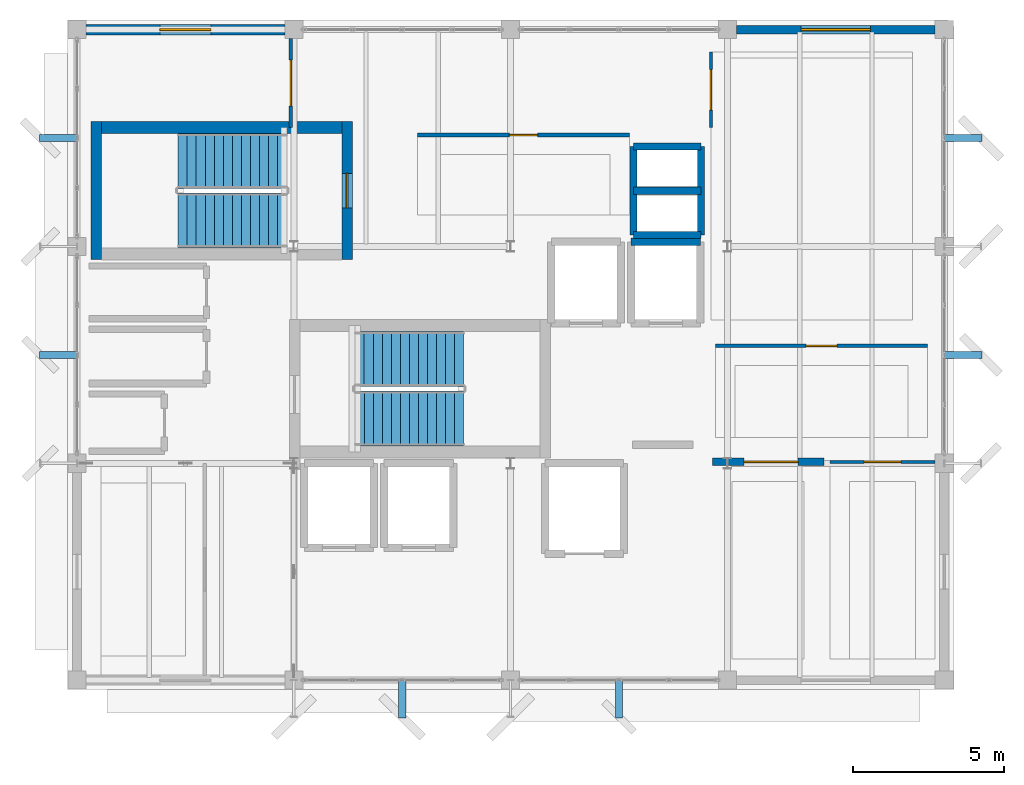
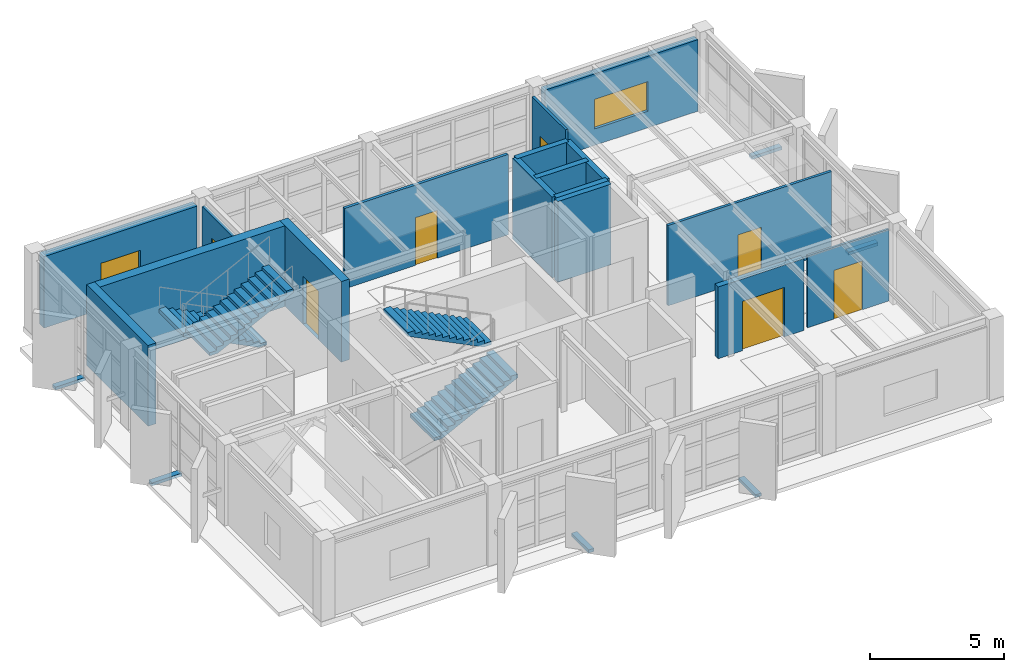
# One storey, part 12 of 15: 17 walls, 7 doors, 6 discrete accessories, 4 stair flights, 2 windows, 9 openings, 2 elements without a shape of their own.
"""IFC4 building model written with IfcOpenShell, lengths in metres."""

from ifc_helpers import new_model, si_unit, direction, frame, frame_2d, origin, origin_2d, place, context, subcontext, project, spatial, polyline, rectangle, outline, extrude, material, layer, layer_set, type_object, element, fill, aggregate, save


model = new_model("IFC4")

# Units and contexts
model_context = context("Model", 3, precision=1e-05, world=origin(), true_north=direction((0.0, 1.0)))
body_context = subcontext(model_context, "Body", "Model", "MODEL_VIEW")
ifc_project = project(units=[si_unit("LENGTHUNIT", "METRE"), si_unit("AREAUNIT", "SQUARE_METRE"), si_unit("VOLUMEUNIT", "CUBIC_METRE"), si_unit("PLANEANGLEUNIT", "RADIAN"), si_unit("MASSUNIT", "GRAM", prefix="KILO")], contexts=[model_context])

# Site, building, storey
site_placement = place(None, origin())
site = spatial("IfcSite", under=ifc_project, at=site_placement, CompositionType="ELEMENT")
building_placement = place(site_placement, origin())
building = spatial("IfcBuilding", under=site, at=building_placement, Name="Kandorven Conservatory and Botanical Research Centre", CompositionType="ELEMENT")
storey_placement = place(building_placement, frame((0.0, 0.0, 48.300048828125)))
storey = spatial("IfcBuildingStorey", under=building, at=storey_placement, Name="L12", CompositionType="ELEMENT", Elevation=48.300048828125)

# Wall
ifc_material_1 = material(Name="Concrete C40/50 (M50)", Category="concrete")
ifc_layer_1 = layer(ifc_material_1, 0.39990234375)
ifc_layer_set_1 = layer_set([ifc_layer_1], Name="Concrete C40/50 (M50)")
wall_type_1 = type_object("IfcWallType", Name="Wall_CW-RC-1", PredefinedType="SHEAR", material=ifc_layer_set_1)
wall_1_placement = place(storey_placement, frame((14.800048828125, 24.35498046875, 0.0), z_axis=(0.0, 0.0, 1.0), x_axis=(-1.0, 0.0, 0.0)))
element("IfcWall", 1, at=wall_1_placement, inside=storey, type_object=wall_type_1, Name="Core stair shear wall CW-RC-1 ST-T2 L12 side A", PredefinedType="SHEAR", context=body_context, shape_type="SweptSolid", body=[
    extrude(rectangle(XDim=7.97998046875, YDim=0.39990234375, at=frame_2d((3.989990234375, 0.0))), origin(), (0.0, 0.0, 1.0), 3.679931640625),
])

# Wall, opening, door
ifc_material_2 = material(Name="Concrete C40/50 (M50)", Category="concrete")
ifc_layer_2 = layer(ifc_material_2, 0.35009765625)
ifc_layer_set_2 = layer_set([ifc_layer_2], Name="Concrete C40/50 (M50)")
wall_type_2 = type_object("IfcWallType", Name="Wall_CW-RC-2", PredefinedType="SHEAR", material=ifc_layer_set_2)
wall_2_placement = place(storey_placement, frame((14.97509765625, 24.550048828125, 0.0), z_axis=(0.0, 0.0, 1.0), x_axis=(0.0, -1.0, 0.0)))
wall_2 = element("IfcWall", 2, at=wall_2_placement, inside=storey, type_object=wall_type_2, Name="Core stair shear wall CW-RC-2 ST-T2 L12 entry", PredefinedType="SHEAR", context=body_context, shape_type="SweptSolid", body=[
    extrude(rectangle(XDim=4.590087890625, YDim=0.35009765625, at=frame_2d((2.294921875, 0.0))), origin(), (0.0, 0.0, 1.0), 3.679931640625),
])
opening_1_placement = place(wall_2_placement, frame((1.719970703125, 0.0, 0.0)))
opening_1 = element("IfcOpeningElement", 3, at=opening_1_placement, cuts=wall_2, Name="Opening FD-2", PredefinedType="OPENING", context=body_context, shape_type="SweptSolid", body=[
    extrude(rectangle(XDim=1.14990234375, YDim=2.199951171875, at=frame_2d((0.574951171875, 1.10009765625))), frame((0.0, 0.18505859375, 0.0), z_axis=(0.0, -1.0, 0.0), x_axis=(1.0, 0.0, 0.0)), (0.0, 0.0, 1.0), 0.3701171875),
])
ifc_material_3 = material(Name="Galvanised hollow steel fire door assembly", Category="steel")
door_type_1 = type_object("IfcDoorType", Name="Door_FD-2", OperationType="NOTDEFINED", PredefinedType="DOOR", material=ifc_material_3)
door_1_placement = place(opening_1_placement, origin())
door_1 = element("IfcDoor", 4, at=door_1_placement, inside=storey, type_object=door_type_1, Name="Exit stair fire door FD-2 ST-T2 L12", OperationType="SINGLE_SWING_LEFT", OverallHeight=2.199951171875, OverallWidth=1.14990234375, PredefinedType="DOOR", context=body_context, shape_type="SweptSolid", body=[
    extrude(rectangle(XDim=1.14990234375, YDim=2.199951171875, at=frame_2d((0.574951171875, 1.10009765625))), frame((0.0, 0.02490234375, 0.0), z_axis=(0.0, -1.0, 0.0), x_axis=(1.0, 0.0, 0.0)), (0.0, 0.0, 1.0), 0.050048828125),
])
fill(opening_1, door_1)

# Walls
wall_3_placement = place(storey_placement, frame((6.64501953125, 24.550048828125, 0.0), z_axis=(0.0, 0.0, 1.0), x_axis=(0.0, -1.0, 0.0)))
element("IfcWall", 5, at=wall_3_placement, inside=storey, type_object=wall_type_2, Name="Core stair shear wall CW-RC-2 ST-T2 L12 far", PredefinedType="SHEAR", context=body_context, shape_type="SweptSolid", body=[
    extrude(rectangle(XDim=4.590087890625, YDim=0.35009765625, at=frame_2d((2.294921875, 0.0))), origin(), (0.0, 0.0, 1.0), 3.679931640625),
])
wall_4_placement = place(storey_placement, frame((24.39990234375, 20.550048828125, 0.0), z_axis=(0.0, 0.0, 1.0), x_axis=(1.0, 0.0, 0.0)))
element("IfcWall", 6, at=wall_4_placement, inside=storey, type_object=wall_type_2, Name="Lift shaft wall FFL-2 L12 N", PredefinedType="SHEAR", context=body_context, shape_type="SweptSolid", body=[
    extrude(rectangle(XDim=2.300048828125, YDim=0.25, at=frame_2d((1.14990234375, 0.0))), origin(), (0.0, 0.0, 1.0), 3.679931640625),
])
for number, where, z_axis, x_axis, name in (
    (7, (24.47998046875, 20.780029296875, 0.0), (0.0, 0.0, 1.0), (1.0, 0.0, 0.0), "Core MEP riser shaft wall CW-RC-2 L12 S"),
    (8, (24.47998046875, 22.25, 0.0), (0.0, 0.0, 1.0), (1.0, 0.0, 0.0), "Core MEP riser shaft wall CW-RC-2 L12 M"),
    (9, (24.47998046875, 23.719970703125, 0.0), (0.0, 0.0, 1.0), (1.0, 0.0, 0.0), "Core MEP riser shaft wall CW-RC-2 L12 N"),
):
    element("IfcWall", number, at=place(storey_placement, frame(where, z_axis=z_axis, x_axis=x_axis)), inside=storey, type_object=wall_type_2, Name=name, PredefinedType="SHEAR", context=body_context, shape_type="SweptSolid", body=[
        extrude(rectangle(XDim=2.239990234375, YDim=0.239990234375, at=frame_2d((1.1201171875, 0.0))), origin(), (0.0, 0.0, 1.0), 3.679931640625),
    ])
for number, where, z_axis, x_axis, name in (
    (10, (24.47998046875, 20.780029296875, 0.0), (0.0, 0.0, 1.0), (0.0, 1.0, 0.0), "Core MEP riser shaft wall CW-RC-2 L12 W"),
    (11, (26.719970703125, 20.780029296875, 0.0), (0.0, 0.0, 1.0), (0.0, 1.0, 0.0), "Core MEP riser shaft wall CW-RC-2 L12 E"),
):
    element("IfcWall", number, at=place(storey_placement, frame(where, z_axis=z_axis, x_axis=x_axis)), inside=storey, type_object=wall_type_2, Name=name, PredefinedType="SHEAR", context=body_context, shape_type="SweptSolid", body=[
        extrude(rectangle(XDim=2.93994140625, YDim=0.239990234375, at=frame_2d((1.469970703125, 0.0))), origin(), (0.0, 0.0, 1.0), 3.679931640625),
    ])

# Wall, opening, window
ifc_material_4 = material(Name="Concrete C32/40 (M40)", Category="concrete")
ifc_layer_3 = layer(ifc_material_4, 0.340087890625)
ifc_layer_set_3 = layer_set([ifc_layer_3], Name="Concrete C32/40 (M40)")
wall_type_3 = type_object("IfcWallType", Name="Wall_EW-02", PredefinedType="STANDARD", material=ifc_layer_set_3)
wall_5_placement = place(storey_placement, frame((6.300048828125, 27.60009765625, 0.0), z_axis=(0.0, 0.0, 1.0), x_axis=(1.0, 0.0, 0.0)))
wall_5 = element("IfcWall", 12, at=wall_5_placement, inside=storey, type_object=wall_type_3, Name="Tower concrete facade wall EW-02 N L12", PredefinedType="STANDARD", context=body_context, shape_type="SweptSolid", body=[
    extrude(rectangle(XDim=6.599853515625, YDim=0.340087890625, at=frame_2d((3.2998046875, 0.0))), origin(), (0.0, 0.0, 1.0), 3.260009765625),
])
opening_2_placement = place(wall_5_placement, frame((2.449951171875, 0.0, 0.75)))
opening_2 = element("IfcOpeningElement", 13, at=opening_2_placement, cuts=wall_5, Name="Opening W-34", PredefinedType="OPENING", context=body_context, shape_type="SweptSolid", body=[
    extrude(rectangle(XDim=1.699951171875, YDim=1.35009765625, at=frame_2d((0.85009765625, 0.675048828125))), frame((0.0, 0.179931640625, 0.0), z_axis=(0.0, -1.0, 0.0), x_axis=(1.0, 0.0, 0.0)), (0.0, 0.0, 1.0), 0.360107421875),
])
ifc_material_5 = material(Name="Double-glazed solar-control low-E glass", Category="glass")
window_type_1 = type_object("IfcWindowType", Name="Win_W-34", PartitioningType="DOUBLE_PANEL_VERTICAL", PredefinedType="WINDOW", material=ifc_material_5)
window_1_placement = place(opening_2_placement, origin())
window_1 = element("IfcWindow", 14, at=window_1_placement, inside=storey, type_object=window_type_1, Name="Tower recessed solar window W-34", OverallHeight=1.35009765625, OverallWidth=1.699951171875, PartitioningType="SINGLE_PANEL", PredefinedType="WINDOW", context=body_context, shape_type="SweptSolid", body=[
    extrude(rectangle(XDim=1.699951171875, YDim=1.35009765625, at=frame_2d((0.85009765625, 0.675048828125))), frame((0.0, 0.030029296875, 0.0), z_axis=(0.0, -1.0, 0.0), x_axis=(1.0, 0.0, 0.0)), (0.0, 0.0, 1.0), 0.06005859375),
])
fill(opening_2, window_1)

ifc_material_6 = material(Name="Concrete C32/40 (M40)", Category="concrete")
ifc_layer_4 = layer(ifc_material_6, 0.280029296875)
ifc_layer_set_4 = layer_set([ifc_layer_4], Name="Concrete C32/40 (M40)")
wall_type_4 = type_object("IfcWallType", Name="Wall_EW-05", PredefinedType="STANDARD", material=ifc_layer_set_4)
wall_6_placement = place(storey_placement, frame((27.89990234375, 27.60009765625, 0.0), z_axis=(0.0, 0.0, 1.0), x_axis=(1.0, 0.0, 0.0)))
wall_6 = element("IfcWall", 15, at=wall_6_placement, inside=storey, type_object=wall_type_4, Name="Tower concrete facade wall EW-05 N L12", PredefinedType="STANDARD", context=body_context, shape_type="SweptSolid", body=[
    extrude(rectangle(XDim=6.60009765625, YDim=0.280029296875, at=frame_2d((3.300048828125, 0.0))), origin(), (0.0, 0.0, 1.0), 3.260009765625),
])
opening_3_placement = place(wall_6_placement, frame((2.14990234375, 0.0, 0.75)))
opening_3 = element("IfcOpeningElement", 16, at=opening_3_placement, cuts=wall_6, Name="Opening W-37", PredefinedType="OPENING", context=body_context, shape_type="SweptSolid", body=[
    extrude(rectangle(XDim=2.300048828125, YDim=1.35009765625, at=frame_2d((1.14990234375, 0.675048828125))), frame((0.0, 0.14990234375, 0.0), z_axis=(0.0, -1.0, 0.0), x_axis=(1.0, 0.0, 0.0)), (0.0, 0.0, 1.0), 0.300048828125),
])
ifc_material_7 = material(Name="Double-glazed solar-control low-E glass", Category="glass")
window_type_2 = type_object("IfcWindowType", Name="Win_W-37", PartitioningType="DOUBLE_PANEL_VERTICAL", PredefinedType="WINDOW", material=ifc_material_7)
window_2_placement = place(opening_3_placement, origin())
window_2 = element("IfcWindow", 17, at=window_2_placement, inside=storey, type_object=window_type_2, Name="Tower recessed solar window W-37", OverallHeight=1.35009765625, OverallWidth=2.300048828125, PartitioningType="SINGLE_PANEL", PredefinedType="WINDOW", context=body_context, shape_type="SweptSolid", body=[
    extrude(rectangle(XDim=2.300048828125, YDim=1.35009765625, at=frame_2d((1.14990234375, 0.675048828125))), frame((0.0, 0.030029296875, 0.0), z_axis=(0.0, -1.0, 0.0), x_axis=(1.0, 0.0, 0.0)), (0.0, 0.0, 1.0), 0.06005859375),
])
fill(opening_3, window_2)

# Wall, opening, door
ifc_material_8 = material(Name="Fire-rated acoustic gypsum board partition", Category="gypsum")
ifc_layer_5 = layer(ifc_material_8, 0.1298828125)
ifc_layer_set_5 = layer_set([ifc_layer_5], Name="Fire-rated acoustic gypsum board partition")
wall_type_5 = type_object("IfcWallType", Name="Wall_IW-07", PredefinedType="PARTITIONING", material=ifc_layer_set_5)
wall_7_placement = place(storey_placement, frame((17.300048828125, 24.10009765625, 0.0), z_axis=(0.0, 0.0, 1.0), x_axis=(1.0, 0.0, 0.0)))
wall_7 = element("IfcWall", 18, at=wall_7_placement, inside=storey, type_object=wall_type_5, Name="Interior partition wall IW-07 (Dryland Flora Research Laboratory L12)", PredefinedType="PARTITIONING", context=body_context, shape_type="SweptSolid", body=[
    extrude(rectangle(XDim=7.050048828125, YDim=0.1298828125, at=frame_2d((3.52490234375, 0.0))), origin(), (0.0, 0.0, 1.0), 3.659912109375),
])
opening_4_placement = place(wall_7_placement, frame((3.054931640625, 0.0, 0.0)))
opening_4 = element("IfcOpeningElement", 19, at=opening_4_placement, cuts=wall_7, Name="Opening D-20", PredefinedType="OPENING", context=body_context, shape_type="SweptSolid", body=[
    extrude(rectangle(XDim=0.93994140625, YDim=2.179931640625, at=frame_2d((0.469970703125, 1.08984375))), frame((0.0, 0.074951171875, 0.0), z_axis=(0.0, -1.0, 0.0), x_axis=(1.0, 0.0, 0.0)), (0.0, 0.0, 1.0), 0.14990234375),
])
ifc_material_9 = material(Name="Solid core acoustic teak-veneered timber leaf", Category="wood")
door_type_2 = type_object("IfcDoorType", Name="Door_D-20", OperationType="NOTDEFINED", PredefinedType="DOOR", material=ifc_material_9)
door_2_placement = place(opening_4_placement, origin())
door_2 = element("IfcDoor", 20, at=door_2_placement, inside=storey, type_object=door_type_2, Name="Interior door D-20 to Dryland Flora Research Laboratory L12", OperationType="SINGLE_SWING_RIGHT", OverallHeight=2.179931640625, OverallWidth=0.93994140625, PredefinedType="DOOR", context=body_context, shape_type="SweptSolid", body=[
    extrude(rectangle(XDim=0.93994140625, YDim=2.179931640625, at=frame_2d((0.469970703125, 1.08984375))), frame((0.0, 0.02490234375, 0.0), z_axis=(0.0, -1.0, 0.0), x_axis=(1.0, 0.0, 0.0)), (0.0, 0.0, 1.0), 0.050048828125),
])
fill(opening_4, door_2)

ifc_material_10 = material(Name="Fire-rated acoustic gypsum board partition", Category="gypsum")
ifc_layer_6 = layer(ifc_material_10, 0.1201171875)
ifc_layer_set_6 = layer_set([ifc_layer_6], Name="Fire-rated acoustic gypsum board partition")
wall_type_6 = type_object("IfcWallType", Name="Wall_IW-08", PredefinedType="PARTITIONING", material=ifc_layer_set_6)
wall_8_placement = place(storey_placement, frame((27.199951171875, 17.10009765625, 0.0), z_axis=(0.0, 0.0, 1.0), x_axis=(1.0, 0.0, 0.0)))
wall_8 = element("IfcWall", 21, at=wall_8_placement, inside=storey, type_object=wall_type_6, Name="Interior partition wall IW-08 (Seed Ecology Research Studio L12)", PredefinedType="PARTITIONING", context=body_context, shape_type="SweptSolid", body=[
    extrude(rectangle(XDim=7.050048828125, YDim=0.1201171875, at=frame_2d((3.52490234375, 0.0))), origin(), (0.0, 0.0, 1.0), 3.659912109375),
])
opening_5_placement = place(wall_8_placement, frame((3.014892578125, 0.0, 0.0)))
opening_5 = element("IfcOpeningElement", 22, at=opening_5_placement, cuts=wall_8, Name="Opening D-21", PredefinedType="OPENING", context=body_context, shape_type="SweptSolid", body=[
    extrude(rectangle(XDim=1.02001953125, YDim=2.179931640625, at=frame_2d((0.510009765625, 1.08984375))), frame((0.0, 0.070068359375, 0.0), z_axis=(0.0, -1.0, 0.0), x_axis=(1.0, 0.0, 0.0)), (0.0, 0.0, 1.0), 0.14013671875),
])
ifc_material_11 = material(Name="Solid core acoustic teak-veneered timber leaf", Category="wood")
door_type_3 = type_object("IfcDoorType", Name="Door_D-21", OperationType="NOTDEFINED", PredefinedType="DOOR", material=ifc_material_11)
door_3_placement = place(opening_5_placement, origin())
door_3 = element("IfcDoor", 23, at=door_3_placement, inside=storey, type_object=door_type_3, Name="Interior door D-21 to Seed Ecology Research Studio L12", OperationType="SINGLE_SWING_LEFT", OverallHeight=2.179931640625, OverallWidth=1.02001953125, PredefinedType="DOOR", context=body_context, shape_type="SweptSolid", body=[
    extrude(rectangle(XDim=1.02001953125, YDim=2.179931640625, at=frame_2d((0.510009765625, 1.08984375))), frame((0.0, 0.02490234375, 0.0), z_axis=(0.0, -1.0, 0.0), x_axis=(1.0, 0.0, 0.0)), (0.0, 0.0, 1.0), 0.050048828125),
])
fill(opening_5, door_3)

ifc_material_12 = material(Name="Fire-rated acoustic gypsum board partition", Category="gypsum")
ifc_layer_7 = layer(ifc_material_12, 0.10009765625)
ifc_layer_set_7 = layer_set([ifc_layer_7], Name="Fire-rated acoustic gypsum board partition")
wall_type_7 = type_object("IfcWallType", Name="Wall_IW-10", PredefinedType="PARTITIONING", material=ifc_layer_set_7)
wall_9_placement = place(storey_placement, frame((31.0, 13.25, 0.0), z_axis=(0.0, 0.0, 1.0), x_axis=(1.0, 0.0, 0.0)))
wall_9 = element("IfcWall", 24, at=wall_9_placement, inside=storey, type_object=wall_type_7, Name="Interior partition wall IW-10 (Arid Zone Ecology Research Laboratory L12)", PredefinedType="PARTITIONING", context=body_context, shape_type="SweptSolid", body=[
    extrude(rectangle(XDim=3.5, YDim=0.10009765625, at=frame_2d((1.75, 0.0))), origin(), (0.0, 0.0, 1.0), 3.27001953125),
])
opening_6_placement = place(wall_9_placement, frame((1.139892578125, 0.0, 0.0)))
opening_6 = element("IfcOpeningElement", 25, at=opening_6_placement, cuts=wall_9, Name="Opening D-23", PredefinedType="OPENING", context=body_context, shape_type="SweptSolid", body=[
    extrude(rectangle(XDim=1.219970703125, YDim=2.219970703125, at=frame_2d((0.60986328125, 1.10986328125))), frame((0.0, 0.06005859375, 0.0), z_axis=(0.0, -1.0, 0.0), x_axis=(1.0, 0.0, 0.0)), (0.0, 0.0, 1.0), 0.1201171875),
])
ifc_material_13 = material(Name="Solid core acoustic teak-veneered timber leaf", Category="wood")
door_type_4 = type_object("IfcDoorType", Name="Door_D-23", OperationType="NOTDEFINED", PredefinedType="DOOR", material=ifc_material_13)
door_4_placement = place(opening_6_placement, origin())
door_4 = element("IfcDoor", 26, at=door_4_placement, inside=storey, type_object=door_type_4, Name="Interior door D-23 to Arid Zone Ecology Research Laboratory L12", OperationType="SINGLE_SWING_LEFT", OverallHeight=2.219970703125, OverallWidth=1.219970703125, PredefinedType="DOOR", context=body_context, shape_type="SweptSolid", body=[
    extrude(rectangle(XDim=1.219970703125, YDim=2.219970703125, at=frame_2d((0.60986328125, 1.10986328125))), frame((0.0, 0.02490234375, 0.0), z_axis=(0.0, -1.0, 0.0), x_axis=(1.0, 0.0, 0.0)), (0.0, 0.0, 1.0), 0.050048828125),
])
fill(opening_6, door_4)

ifc_material_14 = material(Name="Fire-rated acoustic gypsum board partition", Category="gypsum")
ifc_layer_8 = layer(ifc_material_14, 0.10595703125)
ifc_layer_set_8 = layer_set([ifc_layer_8], Name="Fire-rated acoustic gypsum board partition")
wall_type_8 = type_object("IfcWallType", Name="Wall_IW-11", PredefinedType="PARTITIONING", material=ifc_layer_set_8)
wall_10_placement = place(storey_placement, frame((27.050048828125, 24.35009765625, 0.0), z_axis=(0.0, 0.0, 1.0), x_axis=(0.0, 1.0, 0.0)))
wall_10 = element("IfcWall", 27, at=wall_10_placement, inside=storey, type_object=wall_type_8, Name="Interior partition wall IW-11 (Botanical GIS and Remote Sensing Laboratory L12)", PredefinedType="PARTITIONING", context=body_context, shape_type="SweptSolid", body=[
    extrude(rectangle(XDim=2.5, YDim=0.10595703125, at=frame_2d((1.25, 0.0))), origin(), (0.0, 0.0, 1.0), 3.659912109375),
])
opening_7_placement = place(wall_10_placement, frame((0.580078125, 0.0, 0.0)))
opening_7 = element("IfcOpeningElement", 28, at=opening_7_placement, cuts=wall_10, Name="Opening D-24", PredefinedType="OPENING", context=body_context, shape_type="SweptSolid", body=[
    extrude(rectangle(XDim=1.340087890625, YDim=2.219970703125, at=frame_2d((0.669921875, 1.10986328125))), frame((0.0, 0.06298828125, 0.0), z_axis=(0.0, -1.0, 0.0), x_axis=(1.0, 0.0, 0.0)), (0.0, 0.0, 1.0), 0.1259765625),
])
ifc_material_15 = material(Name="Solid core acoustic teak-veneered timber leaf", Category="wood")
door_type_5 = type_object("IfcDoorType", Name="Door_D-24", OperationType="NOTDEFINED", PredefinedType="DOOR", material=ifc_material_15)
door_5_placement = place(opening_7_placement, origin())
door_5 = element("IfcDoor", 29, at=door_5_placement, inside=storey, type_object=door_type_5, Name="Interior door D-24 to Botanical GIS and Remote Sensing Laboratory L12", OperationType="SINGLE_SWING_RIGHT", OverallHeight=2.219970703125, OverallWidth=1.340087890625, PredefinedType="DOOR", context=body_context, shape_type="SweptSolid", body=[
    extrude(rectangle(XDim=1.340087890625, YDim=2.219970703125, at=frame_2d((0.669921875, 1.10986328125))), frame((0.0, 0.02490234375, 0.0), z_axis=(0.0, -1.0, 0.0), x_axis=(1.0, 0.0, 0.0)), (0.0, 0.0, 1.0), 0.050048828125),
])
fill(opening_7, door_5)

ifc_material_16 = material(Name="Fire-rated acoustic gypsum board partition", Category="gypsum")
ifc_layer_9 = layer(ifc_material_16, 0.1259765625)
ifc_layer_set_9 = layer_set([ifc_layer_9], Name="Fire-rated acoustic gypsum board partition")
wall_type_9 = type_object("IfcWallType", Name="Wall_IW-13", PredefinedType="PARTITIONING", material=ifc_layer_set_9)
wall_11_placement = place(storey_placement, frame((13.10009765625, 24.35009765625, 0.0), z_axis=(0.0, 0.0, 1.0), x_axis=(0.0, 1.0, 0.0)))
wall_11 = element("IfcWall", 30, at=wall_11_placement, inside=storey, type_object=wall_type_9, Name="Interior partition wall IW-13 (Botanical Floristics Studio L12)", PredefinedType="PARTITIONING", context=body_context, shape_type="SweptSolid", body=[
    extrude(rectangle(XDim=2.949951171875, YDim=0.1259765625, at=frame_2d((1.47509765625, 0.0))), origin(), (0.0, 0.0, 1.0), 3.27001953125),
])
opening_8_placement = place(wall_11_placement, frame((0.715087890625, 0.0, 0.0)))
opening_8 = element("IfcOpeningElement", 31, at=opening_8_placement, cuts=wall_11, Name="Opening D-26", PredefinedType="OPENING", context=body_context, shape_type="SweptSolid", body=[
    extrude(rectangle(XDim=1.52001953125, YDim=2.260009765625, at=frame_2d((0.760009765625, 1.1298828125))), frame((0.0, 0.072998046875, 0.0), z_axis=(0.0, -1.0, 0.0), x_axis=(1.0, 0.0, 0.0)), (0.0, 0.0, 1.0), 0.14599609375),
])
ifc_material_17 = material(Name="Solid core acoustic teak-veneered timber leaf", Category="wood")
door_type_6 = type_object("IfcDoorType", Name="Door_D-26", OperationType="NOTDEFINED", PredefinedType="DOOR", material=ifc_material_17)
door_6_placement = place(opening_8_placement, origin())
door_6 = element("IfcDoor", 32, at=door_6_placement, inside=storey, type_object=door_type_6, Name="Interior door D-26 to Botanical Floristics Studio L12", OperationType="SINGLE_SWING_RIGHT", OverallHeight=2.260009765625, OverallWidth=1.52001953125, PredefinedType="DOOR", context=body_context, shape_type="SweptSolid", body=[
    extrude(rectangle(XDim=1.52001953125, YDim=2.260009765625, at=frame_2d((0.760009765625, 1.1298828125))), frame((0.0, 0.02490234375, 0.0), z_axis=(0.0, -1.0, 0.0), x_axis=(1.0, 0.0, 0.0)), (0.0, 0.0, 1.0), 0.050048828125),
])
fill(opening_8, door_6)

ifc_material_18 = material(Name="Concrete C32/40 (M40)", Category="concrete")
ifc_layer_10 = layer(ifc_material_18, 0.25)
ifc_layer_set_10 = layer_set([ifc_layer_10], Name="Concrete C32/40 (M40)")
wall_type_10 = type_object("IfcWallType", Name="Wall_IW-FR-1", PredefinedType="SOLIDWALL", material=ifc_layer_set_10)
wall_12_placement = place(storey_placement, frame((27.10009765625, 13.25, 0.0), z_axis=(0.0, 0.0, 1.0), x_axis=(1.0, 0.0, 0.0)))
wall_12 = element("IfcWall", 33, at=wall_12_placement, inside=storey, type_object=wall_type_10, Name="Interior fire partition wall IW-FR-1 (Regional Flora Herbarium Archive L12)", PredefinedType="SOLIDWALL", context=body_context, shape_type="SweptSolid", body=[
    extrude(rectangle(XDim=3.699951171875, YDim=0.25, at=frame_2d((1.85009765625, 0.0))), origin(), (0.0, 0.0, 1.0), 3.27001953125),
])
opening_9_placement = place(wall_12_placement, frame((1.050048828125, 0.0, 0.0)))
opening_9 = element("IfcOpeningElement", 34, at=opening_9_placement, cuts=wall_12, Name="Opening FD-4", PredefinedType="OPENING", context=body_context, shape_type="SweptSolid", body=[
    extrude(rectangle(XDim=1.800048828125, YDim=2.25, at=frame_2d((0.89990234375, 1.125))), frame((0.0, 0.135009765625, 0.0), z_axis=(0.0, -1.0, 0.0), x_axis=(1.0, 0.0, 0.0)), (0.0, 0.0, 1.0), 0.27001953125),
])
ifc_material_19 = material(Name="Galvanised hollow steel fire door assembly", Category="steel")
door_type_7 = type_object("IfcDoorType", Name="Door_FD-4", OperationType="NOTDEFINED", PredefinedType="DOOR", material=ifc_material_19)
door_7_placement = place(opening_9_placement, frame((1.800048828125, 0.0, 0.0), z_axis=(0.0, 0.0, 1.0), x_axis=(-1.0, 0.0, 0.0)))
door_7 = element("IfcDoor", 35, at=door_7_placement, inside=storey, type_object=door_type_7, Name="Interior door FD-4 to Regional Flora Herbarium Archive L12", OperationType="DOUBLE_DOOR_SINGLE_SWING", OverallHeight=2.25, OverallWidth=1.800048828125, PredefinedType="DOOR", context=body_context, shape_type="SweptSolid", body=[
    extrude(rectangle(XDim=1.800048828125, YDim=2.25, at=frame_2d((0.89990234375, 1.125))), frame((0.0, 0.02490234375, 0.0), z_axis=(0.0, -1.0, 0.0), x_axis=(1.0, 0.0, 0.0)), (0.0, 0.0, 1.0), 0.050048828125),
])
fill(opening_9, door_7)

# Stair, stair flights
ifc_material_20 = material(Name="Concrete C32/40 (M40)", Category="concrete")
stair_type = type_object("IfcStairType", Name="Stair_1820", PredefinedType="HALF_TURN_STAIR", material=ifc_material_20)
stair_1_placement = place(storey_placement, origin())
stair_1 = element("IfcStair", 36, at=stair_1_placement, inside=storey, type_object=stair_type, Name="L12 Tower Fire Stair ST-T1", PredefinedType="HALF_TURN_STAIR")
ifc_material_21 = material(Name="Concrete C32/40 (M40)", Category="concrete")
ifc_layer_11 = layer(ifc_material_21, 0.14990234375)
ifc_layer_set_11 = layer_set([ifc_layer_11], Name="Concrete C32/40 (M40)")
stair_flight_type = type_object("IfcStairFlightType", Name="Flight_1820", PredefinedType="STRAIGHT", material=ifc_layer_set_11)
stair_flight_1_placement = place(storey_placement, frame((15.239990234375, 14.68994140625, 0.0), z_axis=(0.0, 0.0, 1.0), x_axis=(1.0, 0.0, 0.0)))
stair_flight_1 = element("IfcStairFlight", 37, at=stair_flight_1_placement, type_object=stair_flight_type, Name="ST-T1 flight 1", NumberOfRisers=13, NumberOfTreads=12, PredefinedType="STRAIGHT", RiserHeight=0.15, TreadLength=0.3, context=body_context, shape_type="SweptSolid", body=[
    extrude(outline(polyline([(0.0, 0.0), (0.0, 0.14990234375), (0.300048828125, 0.14990234375), (0.300048828125, 0.300048828125), (0.60009765625, 0.300048828125), (0.60009765625, 0.449951171875), (0.89990234375, 0.449951171875), (0.89990234375, 0.60009765625), (1.199951171875, 0.60009765625), (1.199951171875, 0.75), (1.5, 0.75), (1.5, 0.89990234375), (1.800048828125, 0.89990234375), (1.800048828125, 1.050048828125), (2.10009765625, 1.050048828125), (2.10009765625, 1.199951171875), (2.39990234375, 1.199951171875), (2.39990234375, 1.35009765625), (2.699951171875, 1.35009765625), (2.699951171875, 1.5), (3.0, 1.5), (3.0, 1.64990234375), (3.300048828125, 1.64990234375), (3.300048828125, 1.800048828125), (3.60009765625, 1.800048828125), (3.60009765625, 1.949951171875), (3.60009765625, 1.63232421875), (0.335205078125, 0.0), (0.0, 0.0)])), frame((0.0, 0.91015625, 0.0), z_axis=(0.0, -1.0, 0.0), x_axis=(1.0, 0.0, 0.0)), (0.0, 0.0, 1.0), 1.820068359375),
])
stair_flight_2_placement = place(storey_placement, frame((18.839599609375, 16.659912109375, 1.949951171875), z_axis=(0.0, 0.0, 1.0), x_axis=(-1.0, 0.0, 0.0)))
stair_flight_2 = element("IfcStairFlight", 38, at=stair_flight_2_placement, type_object=stair_flight_type, Name="ST-T1 flight 2", NumberOfRisers=13, NumberOfTreads=12, PredefinedType="STRAIGHT", RiserHeight=0.15, TreadLength=0.3, context=body_context, shape_type="SweptSolid", body=[
    extrude(outline(polyline([(0.0, 0.0), (0.0, 0.14990234375), (0.300048828125, 0.14990234375), (0.300048828125, 0.300048828125), (0.60009765625, 0.300048828125), (0.60009765625, 0.449951171875), (0.89990234375, 0.449951171875), (0.89990234375, 0.60009765625), (1.199951171875, 0.60009765625), (1.199951171875, 0.75), (1.5, 0.75), (1.5, 0.89990234375), (1.800048828125, 0.89990234375), (1.800048828125, 1.050048828125), (2.10009765625, 1.050048828125), (2.10009765625, 1.199951171875), (2.39990234375, 1.199951171875), (2.39990234375, 1.35009765625), (2.699951171875, 1.35009765625), (2.699951171875, 1.5), (3.0, 1.5), (3.0, 1.64990234375), (3.300048828125, 1.64990234375), (3.300048828125, 1.800048828125), (3.60009765625, 1.800048828125), (3.60009765625, 1.949951171875), (3.60009765625, 1.63232421875), (0.335205078125, 0.0), (0.0, 0.0)])), frame((0.0, 0.91015625, 0.0), z_axis=(0.0, -1.0, 0.0), x_axis=(1.0, 0.0, 0.0)), (0.0, 0.0, 1.0), 1.820068359375),
])
aggregate(stair_1, [stair_flight_1, stair_flight_2])

stair_2_placement = place(storey_placement, origin())
stair_2 = element("IfcStair", 39, at=stair_2_placement, inside=storey, type_object=stair_type, Name="L12 Tower Fire Stair ST-T2", PredefinedType="HALF_TURN_STAIR")
stair_flight_3_placement = place(storey_placement, frame((12.9599609375, 23.239990234375, 0.0), z_axis=(0.0, 0.0, 1.0), x_axis=(-1.0, 0.0, 0.0)))
stair_flight_3 = element("IfcStairFlight", 40, at=stair_flight_3_placement, type_object=stair_flight_type, Name="ST-T2 flight 1", NumberOfRisers=13, NumberOfTreads=12, PredefinedType="STRAIGHT", RiserHeight=0.15, TreadLength=0.3, context=body_context, shape_type="SweptSolid", body=[
    extrude(outline(polyline([(0.0, 0.0), (0.0, 0.14990234375), (0.300048828125, 0.14990234375), (0.300048828125, 0.300048828125), (0.60009765625, 0.300048828125), (0.60009765625, 0.449951171875), (0.89990234375, 0.449951171875), (0.89990234375, 0.60009765625), (1.199951171875, 0.60009765625), (1.199951171875, 0.75), (1.5, 0.75), (1.5, 0.89990234375), (1.800048828125, 0.89990234375), (1.800048828125, 1.050048828125), (2.10009765625, 1.050048828125), (2.10009765625, 1.199951171875), (2.39990234375, 1.199951171875), (2.39990234375, 1.35009765625), (2.699951171875, 1.35009765625), (2.699951171875, 1.5), (3.0, 1.5), (3.0, 1.64990234375), (3.300048828125, 1.64990234375), (3.300048828125, 1.800048828125), (3.60009765625, 1.800048828125), (3.60009765625, 1.949951171875), (3.60009765625, 1.63232421875), (0.335205078125, 0.0), (0.0, 0.0)])), frame((0.0, 0.91015625, 0.0), z_axis=(0.0, -1.0, 0.0), x_axis=(1.0, 0.0, 0.0)), (0.0, 0.0, 1.0), 1.820068359375),
])
stair_flight_4_placement = place(storey_placement, frame((9.360595703125, 21.27001953125, 1.949951171875), z_axis=(0.0, 0.0, 1.0), x_axis=(1.0, 0.0, 0.0)))
stair_flight_4 = element("IfcStairFlight", 41, at=stair_flight_4_placement, type_object=stair_flight_type, Name="ST-T2 flight 2", NumberOfRisers=13, NumberOfTreads=12, PredefinedType="STRAIGHT", RiserHeight=0.15, TreadLength=0.3, context=body_context, shape_type="SweptSolid", body=[
    extrude(outline(polyline([(0.0, 0.0), (0.0, 0.14990234375), (0.300048828125, 0.14990234375), (0.300048828125, 0.300048828125), (0.60009765625, 0.300048828125), (0.60009765625, 0.449951171875), (0.89990234375, 0.449951171875), (0.89990234375, 0.60009765625), (1.199951171875, 0.60009765625), (1.199951171875, 0.75), (1.5, 0.75), (1.5, 0.89990234375), (1.800048828125, 0.89990234375), (1.800048828125, 1.050048828125), (2.10009765625, 1.050048828125), (2.10009765625, 1.199951171875), (2.39990234375, 1.199951171875), (2.39990234375, 1.35009765625), (2.699951171875, 1.35009765625), (2.699951171875, 1.5), (3.0, 1.5), (3.0, 1.64990234375), (3.300048828125, 1.64990234375), (3.300048828125, 1.800048828125), (3.60009765625, 1.800048828125), (3.60009765625, 1.949951171875), (3.60009765625, 1.63232421875), (0.335205078125, 0.0), (0.0, 0.0)])), frame((0.0, 0.91015625, 0.0), z_axis=(0.0, -1.0, 0.0), x_axis=(1.0, 0.0, 0.0)), (0.0, 0.0, 1.0), 1.820068359375),
])
aggregate(stair_2, [stair_flight_3, stair_flight_4])

# Discrete accessories
ifc_material_22 = material(Name="Steel S355 (IS 2062 E350)", Category="steel")
discrete_accessory_type = type_object("IfcDiscreteAccessoryType", Name="JaliBracket", PredefinedType="BRACKET", material=ifc_material_22)
for number, where, z_axis, x_axis, name in (
    (42, (16.800048828125, 5.389892578125, -0.1298828125), (0.0, 0.0, 1.0), (1.0, 0.0, 0.0), "Stainless steel fin support bracket BRK-01 #98"),
    (43, (24.0, 5.389892578125, -0.1298828125), (0.0, 0.0, 1.0), (1.0, 0.0, 0.0), "Stainless steel fin support bracket BRK-01 #100"),
):
    element("IfcDiscreteAccessory", number, at=place(storey_placement, frame(where, z_axis=z_axis, x_axis=x_axis)), inside=storey, type_object=discrete_accessory_type, Name=name, PredefinedType="BRACKET", context=body_context, shape_type="SweptSolid", body=[
        extrude(rectangle(XDim=0.239990234375, YDim=1.280029296875, at=origin_2d()), origin(), (0.0, 0.0, 1.0), 0.139892578125),
    ])
for number, where, z_axis, x_axis, name in (
    (44, (5.389892578125, 16.800048828125, -0.1298828125), (0.0, 0.0, 1.0), (1.0, 0.0, 0.0), "Stainless steel fin support bracket BRK-01 #102"),
    (45, (5.389892578125, 24.0, -0.1298828125), (0.0, 0.0, 1.0), (1.0, 0.0, 0.0), "Stainless steel fin support bracket BRK-01 #104"),
    (46, (35.409912109375, 16.800048828125, -0.1298828125), (0.0, 0.0, 1.0), (1.0, 0.0, 0.0), "Stainless steel fin support bracket BRK-01 #106"),
    (47, (35.409912109375, 24.0, -0.1298828125), (0.0, 0.0, 1.0), (1.0, 0.0, 0.0), "Stainless steel fin support bracket BRK-01 #108"),
):
    element("IfcDiscreteAccessory", number, at=place(storey_placement, frame(where, z_axis=z_axis, x_axis=x_axis)), inside=storey, type_object=discrete_accessory_type, Name=name, PredefinedType="BRACKET", context=body_context, shape_type="SweptSolid", body=[
        extrude(rectangle(XDim=1.280029296875, YDim=0.239990234375, at=origin_2d()), origin(), (0.0, 0.0, 1.0), 0.139892578125),
    ])

save(model, "model.ifc")
